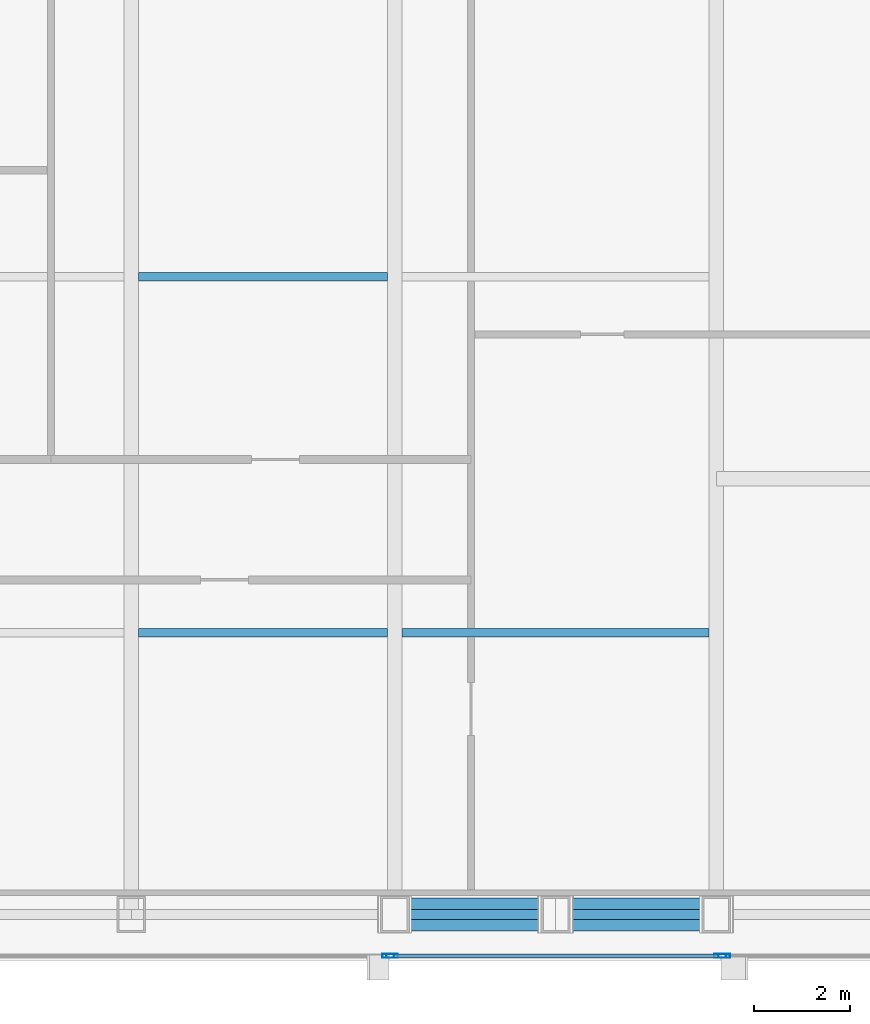
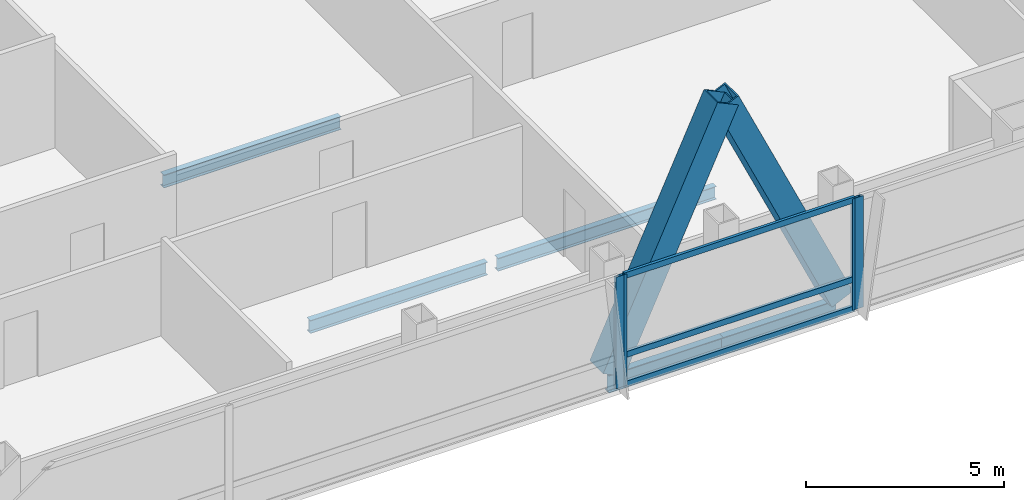
# One storey, part 14 of 30: 9 members, 5 beams, 3 elements without a shape of their own.
"""IFC4 building model written with IfcOpenShell, lengths in metres."""

from ifc_helpers import new_model, si_unit, direction, frame, origin, origin_2d, place, context, subcontext, project, spatial, hollow_rectangle, i_section, extrude, material, material_profile, profile_set, type_object, element, aggregate, save


model = new_model("IFC4")

# Units and contexts
model_context = context("Model", 3, precision=1e-05, world=origin(), true_north=direction((0.0, 1.0)))
body_context = subcontext(model_context, "Body", "Model", "MODEL_VIEW")
ifc_project = project(units=[si_unit("LENGTHUNIT", "METRE"), si_unit("AREAUNIT", "SQUARE_METRE"), si_unit("VOLUMEUNIT", "CUBIC_METRE"), si_unit("PLANEANGLEUNIT", "RADIAN"), si_unit("MASSUNIT", "GRAM", prefix="KILO")], contexts=[model_context])

# Site, building, storey
site_placement = place(None, origin())
site = spatial("IfcSite", under=ifc_project, at=site_placement, CompositionType="ELEMENT")
building_placement = place(site_placement, origin())
building = spatial("IfcBuilding", under=site, at=building_placement, Name="Khoronbel Lancet Exchange", CompositionType="ELEMENT")
storey_placement = place(building_placement, frame((0.0, 0.0, 284.199951171875)))
storey = spatial("IfcBuildingStorey", under=building, at=storey_placement, Name="L73", CompositionType="ELEMENT", Elevation=284.199951171875)

# Beams
ifc_material_1 = material(Name="Steel S355", Category="steel")
ifc_material_profile_1 = material_profile(ifc_material_1, i_section(OverallWidth=0.179931640625, OverallDepth=0.39990234375, WebThickness=0.008544921875, FlangeThickness=0.013427734375, at=origin_2d()), Name="IPE 400")
ifc_profile_set_1 = profile_set([ifc_material_profile_1], Name="Steel S355")
beam_type_1 = type_object("IfcBeamType", Name="BM-BJ5", PredefinedType="JOIST", material=ifc_profile_set_1)
beam_1_placement = place(storey_placement, frame((42.675048828125, 16.0, -0.35986328125), z_axis=(1.0, 0.0, 0.0), x_axis=(0.0, 1.0, 0.0)))
element("IfcBeam", 1, at=beam_1_placement, inside=storey, type_object=beam_type_1, Name="Level L73 secondary composite joist J04", PredefinedType="JOIST", context=body_context, shape_type="SweptSolid", body=[
    extrude(i_section(OverallWidth=0.179931640625, OverallDepth=0.39990234375, WebThickness=0.008544921875, FlangeThickness=0.013427734375, at=origin_2d()), origin(), (0.0, 0.0, 1.0), 5.175048828125),
])
beam_2_placement = place(storey_placement, frame((48.14990234375, 16.0, -0.35986328125), z_axis=(1.0, 0.0, 0.0), x_axis=(0.0, 1.0, 0.0)))
element("IfcBeam", 2, at=beam_2_placement, inside=storey, type_object=beam_type_1, Name="Level L73 secondary composite joist J05", PredefinedType="JOIST", context=body_context, shape_type="SweptSolid", body=[
    extrude(i_section(OverallWidth=0.179931640625, OverallDepth=0.39990234375, WebThickness=0.008544921875, FlangeThickness=0.013427734375, at=origin_2d()), origin(), (0.0, 0.0, 1.0), 6.375),
])
beam_3_placement = place(storey_placement, frame((42.675048828125, 23.39990234375, -0.35986328125), z_axis=(1.0, 0.0, 0.0), x_axis=(0.0, 1.0, 0.0)))
element("IfcBeam", 3, at=beam_3_placement, inside=storey, type_object=beam_type_1, Name="Level L73 secondary composite joist J09", PredefinedType="JOIST", context=body_context, shape_type="SweptSolid", body=[
    extrude(i_section(OverallWidth=0.179931640625, OverallDepth=0.39990234375, WebThickness=0.008544921875, FlangeThickness=0.013427734375, at=origin_2d()), origin(), (0.0, 0.0, 1.0), 5.175048828125),
])
ifc_material_profile_2 = material_profile(ifc_material_1, i_section(OverallWidth=0.2099609375, OverallDepth=0.550048828125, WebThickness=0.010986328125, FlangeThickness=0.01708984375, at=origin_2d()), Name="IPE 550")
ifc_profile_set_2 = profile_set([ifc_material_profile_2], Name="Steel S355")
beam_type_2 = type_object("IfcBeamType", Name="BM-BSP3", PredefinedType="SPANDREL", material=ifc_profile_set_2)
beam_4_placement = place(storey_placement, frame((48.0, 10.14990234375, -0.43505859375), z_axis=(1.0, 0.0, 0.0), x_axis=(0.0, 1.0, 0.0)))
element("IfcBeam", 4, at=beam_4_placement, inside=storey, type_object=beam_type_2, Name="Level L73 perimeter spandrel beam SP07", PredefinedType="SPANDREL", context=body_context, shape_type="SweptSolid", body=[
    extrude(i_section(OverallWidth=0.2099609375, OverallDepth=0.550048828125, WebThickness=0.010986328125, FlangeThickness=0.01708984375, at=origin_2d()), origin(), (0.0, 0.0, 1.0), 3.33740234375),
])
beam_5_placement = place(storey_placement, frame((51.33740234375, 10.14990234375, -0.43505859375), z_axis=(1.0, 0.0, 0.0), x_axis=(0.0, 1.0, 0.0)))
element("IfcBeam", 5, at=beam_5_placement, inside=storey, type_object=beam_type_2, Name="Level L73 perimeter spandrel beam SP08", PredefinedType="SPANDREL", context=body_context, shape_type="SweptSolid", body=[
    extrude(i_section(OverallWidth=0.2099609375, OverallDepth=0.550048828125, WebThickness=0.010986328125, FlangeThickness=0.01708984375, at=origin_2d()), origin(), (0.0, 0.0, 1.0), 3.337646484375),
])

# Curtain wall, member
ifc_material_2 = material(Name="Low-E Solar Control Insulating Glass", Category="glass")
curtain_wall_type = type_object("IfcCurtainWallType", Name="CW-3", PredefinedType="NOTDEFINED", material=ifc_material_2)
curtain_wall_1_placement = place(storey_placement, origin())
curtain_wall_1 = element("IfcCurtainWall", 6, at=curtain_wall_1_placement, inside=storey, type_object=curtain_wall_type, Name="Unitised curtain wall CW-L73-SCV", PredefinedType="NOTDEFINED")
ifc_material_3 = material(Name="Bronze-Anodised Aluminium 6063-T6", Category="aluminium")
ifc_material_profile_3 = material_profile(ifc_material_3, hollow_rectangle(XDim=0.0849609375, YDim=0.239990234375, WallThickness=0.006103515625, at=origin_2d()), Name="ALU MULLION 85x240")
ifc_profile_set_3 = profile_set([ifc_material_profile_3], Name="Bronze-Anodised Aluminium 6063-T6")
member_type_1 = type_object("IfcMemberType", Name="MEM-CWM1", PredefinedType="MULLION", material=ifc_profile_set_3)
member_1_placement = place(storey_placement, frame((47.857421875, 9.2900390625, 0.0), z_axis=(0.0, 0.0, 1.0), x_axis=(0.0, 1.0, 0.0)))
member_1 = element("IfcMember", 7, at=member_1_placement, type_object=member_type_1, Name="CW3 mullion 3", PredefinedType="MULLION", context=body_context, shape_type="SweptSolid", body=[
    extrude(hollow_rectangle(XDim=0.0849609375, YDim=0.239990234375, WallThickness=0.006103515625, at=origin_2d()), origin(), (0.0, 0.0, 1.0), 3.43994140625),
])
aggregate(curtain_wall_1, [member_1])

# Curtain wall, members
curtain_wall_2_placement = place(storey_placement, origin())
curtain_wall_2 = element("IfcCurtainWall", 8, at=curtain_wall_2_placement, inside=storey, type_object=curtain_wall_type, Name="Unitised curtain wall CW-L73-SEB", PredefinedType="NOTDEFINED")
member_2_placement = place(storey_placement, frame((47.9423828125, 9.2900390625, 0.0), z_axis=(0.0, 0.0, 1.0), x_axis=(0.0, 1.0, 0.0)))
member_2 = element("IfcMember", 9, at=member_2_placement, type_object=member_type_1, Name="CW3 mullion 1", PredefinedType="MULLION", context=body_context, shape_type="SweptSolid", body=[
    extrude(hollow_rectangle(XDim=0.0849609375, YDim=0.239990234375, WallThickness=0.006103515625, at=origin_2d()), origin(), (0.0, 0.0, 1.0), 3.43994140625),
])
member_3_placement = place(storey_placement, frame((54.757568359375, 9.2900390625, 0.0), z_axis=(0.0, 0.0, 1.0), x_axis=(0.0, 1.0, 0.0)))
member_3 = element("IfcMember", 10, at=member_3_placement, type_object=member_type_1, Name="CW3 mullion 2", PredefinedType="MULLION", context=body_context, shape_type="SweptSolid", body=[
    extrude(hollow_rectangle(XDim=0.0849609375, YDim=0.239990234375, WallThickness=0.006103515625, at=origin_2d()), origin(), (0.0, 0.0, 1.0), 3.43994140625),
])

# Curtain wall, member
curtain_wall_3_placement = place(storey_placement, origin())
curtain_wall_3 = element("IfcCurtainWall", 11, at=curtain_wall_3_placement, inside=storey, type_object=curtain_wall_type, Name="Unitised curtain wall CW-L73-SEV", PredefinedType="NOTDEFINED")
member_4_placement = place(storey_placement, frame((54.842529296875, 9.2900390625, 0.0), z_axis=(0.0, 0.0, 1.0), x_axis=(0.0, 1.0, 0.0)))
member_4 = element("IfcMember", 12, at=member_4_placement, type_object=member_type_1, Name="CW3 mullion 1", PredefinedType="MULLION", context=body_context, shape_type="SweptSolid", body=[
    extrude(hollow_rectangle(XDim=0.0849609375, YDim=0.239990234375, WallThickness=0.006103515625, at=origin_2d()), origin(), (0.0, 0.0, 1.0), 3.43994140625),
])
aggregate(curtain_wall_3, [member_4])

# Member
ifc_material_profile_4 = material_profile(ifc_material_3, hollow_rectangle(XDim=0.0849609375, YDim=0.179931640625, WallThickness=0.0048828125, at=origin_2d()), Name="ALU TRANSOM 85x180")
ifc_profile_set_4 = profile_set([ifc_material_profile_4], Name="Bronze-Anodised Aluminium 6063-T6")
member_type_2 = type_object("IfcMemberType", Name="MEM-CWT1", PredefinedType="USERDEFINED", material=ifc_profile_set_4)
member_5_placement = place(storey_placement, frame((47.985107421875, 9.2900390625, 0.04248046875), z_axis=(1.0, 0.0, 0.0), x_axis=(0.0, 1.0, 0.0)))
member_5 = element("IfcMember", 13, at=member_5_placement, type_object=member_type_2, Name="CW3 transom 1.1", ObjectType="TRANSOM", PredefinedType="USERDEFINED", context=body_context, shape_type="SweptSolid", body=[
    extrude(hollow_rectangle(XDim=0.0849609375, YDim=0.179931640625, WallThickness=0.0048828125, at=origin_2d()), origin(), (0.0, 0.0, 1.0), 6.72998046875),
])

member_6_placement = place(storey_placement, frame((47.985107421875, 9.2900390625, 0.949951171875), z_axis=(1.0, 0.0, 0.0), x_axis=(0.0, 1.0, 0.0)))
member_6 = element("IfcMember", 14, at=member_6_placement, type_object=member_type_2, Name="CW3 transom 1.2", ObjectType="TRANSOM", PredefinedType="USERDEFINED", context=body_context, shape_type="SweptSolid", body=[
    extrude(hollow_rectangle(XDim=0.0849609375, YDim=0.179931640625, WallThickness=0.0048828125, at=origin_2d()), origin(), (0.0, 0.0, 1.0), 6.72998046875),
])

member_7_placement = place(storey_placement, frame((47.985107421875, 9.2900390625, 3.3974609375), z_axis=(1.0, 0.0, 0.0), x_axis=(0.0, 1.0, 0.0)))
member_7 = element("IfcMember", 15, at=member_7_placement, type_object=member_type_2, Name="CW3 transom 1.3", ObjectType="TRANSOM", PredefinedType="USERDEFINED", context=body_context, shape_type="SweptSolid", body=[
    extrude(hollow_rectangle(XDim=0.0849609375, YDim=0.179931640625, WallThickness=0.0048828125, at=origin_2d()), origin(), (0.0, 0.0, 1.0), 6.72998046875),
])

aggregate(curtain_wall_2, [member_2, member_3, member_5, member_6, member_7])

# Members
ifc_material_4 = material(Name="Steel S460", Category="steel")
ifc_material_profile_5 = material_profile(ifc_material_4, hollow_rectangle(XDim=0.679931640625, YDim=0.679931640625, WallThickness=0.044921875, at=origin_2d()), Name="BOX 680x680x45")
ifc_profile_set_5 = profile_set([ifc_material_profile_5], Name="Steel S460")
member_type_3 = type_object("IfcMemberType", Name="MEM-MB3", PredefinedType="BRACE", material=ifc_profile_set_5)
member_8_placement = place(storey_placement, frame((48.0, 10.14990234375, 0.0), z_axis=(0.420548106082, 0.0, 0.907270241147), x_axis=(0.0, 1.0, 0.0)))
element("IfcMember", 16, at=member_8_placement, inside=storey, type_object=member_type_3, Name="Perimeter lancet brace tier 25 S-E-L", PredefinedType="BRACE", context=body_context, shape_type="SweptSolid", body=[
    extrude(hollow_rectangle(XDim=0.679931640625, YDim=0.679931640625, WallThickness=0.044921875, at=origin_2d()), origin(), (0.0, 0.0, 1.0), 7.935791015625),
])
member_9_placement = place(storey_placement, frame((54.675048828125, 10.14990234375, 0.0), z_axis=(-0.420573428903, 0.0, 0.907258502799), x_axis=(0.0, -1.0, 0.0)))
element("IfcMember", 17, at=member_9_placement, inside=storey, type_object=member_type_3, Name="Perimeter lancet brace tier 25 S-E-R", PredefinedType="BRACE", context=body_context, shape_type="SweptSolid", body=[
    extrude(hollow_rectangle(XDim=0.679931640625, YDim=0.679931640625, WallThickness=0.044921875, at=origin_2d()), origin(), (0.0, 0.0, 1.0), 7.93603515625),
])

save(model, "model.ifc")
